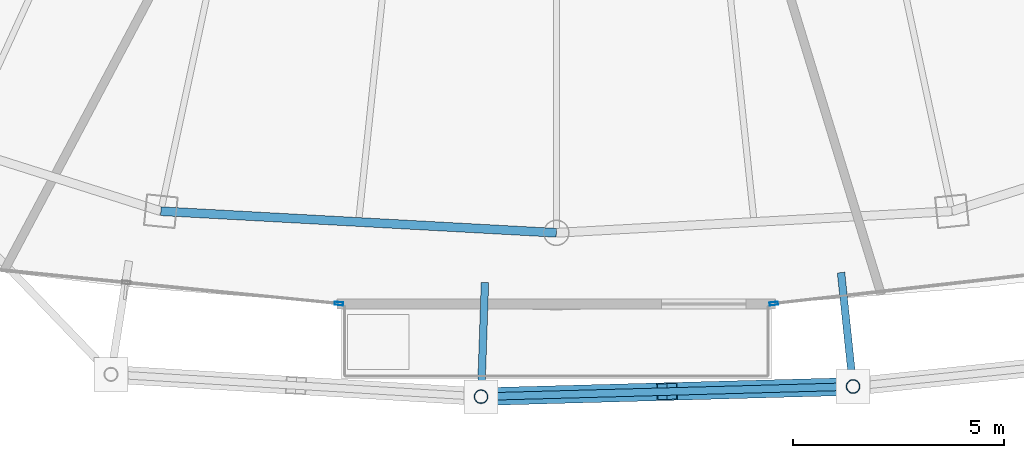
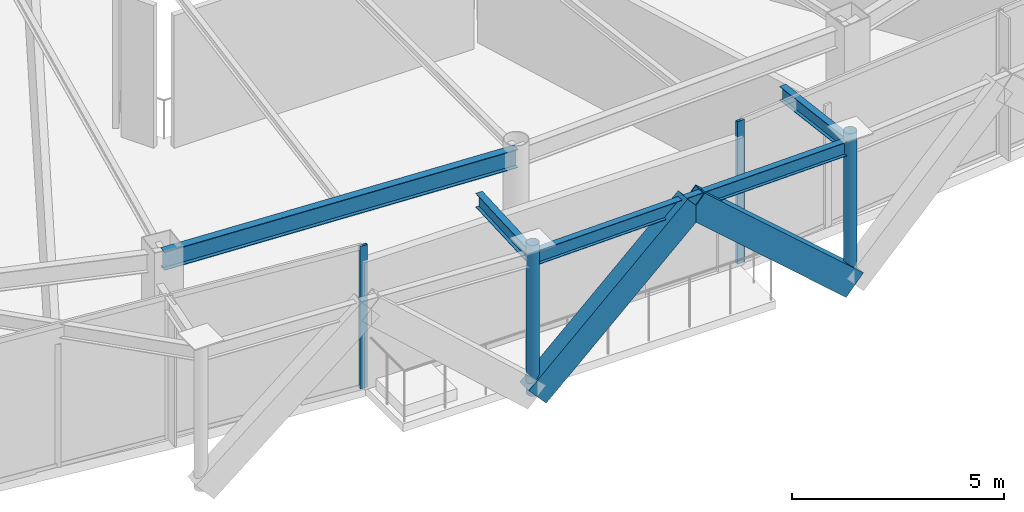
# One storey, part 6 of 25: 6 members, 4 beams, 2 elements without a shape of their own.
"""IFC4 building model written with IfcOpenShell, lengths in metres."""

from ifc_helpers import new_model, si_unit, direction, frame, origin, origin_2d, place, context, subcontext, project, spatial, hollow_rectangle, hollow_circle, i_section, extrude, material, layer, layer_set, material_profile, profile_set, type_object, element, aggregate, save


model = new_model("IFC4")

# Units and contexts
model_context = context("Model", 3, precision=1e-05, world=origin(), true_north=direction((0.0, 1.0)))
body_context = subcontext(model_context, "Body", "Model", "MODEL_VIEW")
ifc_project = project(units=[si_unit("LENGTHUNIT", "METRE"), si_unit("AREAUNIT", "SQUARE_METRE"), si_unit("VOLUMEUNIT", "CUBIC_METRE"), si_unit("PLANEANGLEUNIT", "RADIAN"), si_unit("MASSUNIT", "GRAM", prefix="KILO")], contexts=[model_context])

# Site, building, storey
site_placement = place(None, origin())
site = spatial("IfcSite", under=ifc_project, at=site_placement, CompositionType="ELEMENT")
building_placement = place(site_placement, origin())
building = spatial("IfcBuilding", under=site, at=building_placement, Name="Orvanel Arch Residences", CompositionType="ELEMENT")
storey_placement = place(building_placement, frame((0.0, 0.0, 236.0)))
storey = spatial("IfcBuildingStorey", under=building, at=storey_placement, Name="L67", CompositionType="ELEMENT", Elevation=236.0)

# Members
ifc_material_1 = material(Name="Structural steel AS/NZS 3678 Grade 350", Category="steel")
ifc_material_profile_1 = material_profile(ifc_material_1, hollow_rectangle(XDim=0.419921875, YDim=0.719970703125, WallThickness=0.02490234375, at=origin_2d()), Name="RHS720x420x25")
ifc_profile_set_1 = profile_set([ifc_material_profile_1], Name="Structural steel AS/NZS 3678 Grade 350")
member_type_1 = type_object("IfcMemberType", Name="BR-720RHS-EXT", PredefinedType="BRACE", material=ifc_profile_set_1)
member_1_placement = place(storey_placement, frame((31.219970703125, 2.969970703125, 0.0), z_axis=(0.747372313263, 0.020582824396, 0.664086570191), x_axis=(-0.027529817182, 0.999620982756, 0.0)))
element("IfcMember", 1, at=member_1_placement, inside=storey, type_object=member_type_1, Name="L67 Exterior Sky-Garden V-Frame Chevron F2B2.1", PredefinedType="BRACE", context=body_context, shape_type="SweptSolid", body=[
    extrude(hollow_rectangle(XDim=0.419921875, YDim=0.719970703125, WallThickness=0.02490234375, at=origin_2d()), origin(), (0.0, 0.0, 1.0), 5.88330078125),
])
member_2_placement = place(storey_placement, frame((40.014892578125, 3.2109375, 0.0), z_axis=(-0.747448748845, -0.020372895286, 0.664007012755), x_axis=(0.027246459112, -0.999628746318, 0.0)))
element("IfcMember", 2, at=member_2_placement, inside=storey, type_object=member_type_1, Name="L67 Exterior Sky-Garden V-Frame Chevron F2B2.2", PredefinedType="BRACE", context=body_context, shape_type="SweptSolid", body=[
    extrude(hollow_rectangle(XDim=0.419921875, YDim=0.719970703125, WallThickness=0.02490234375, at=origin_2d()), origin(), (0.0, 0.0, 1.0), 5.884033203125),
])

# Curtain wall, member
ifc_material_2 = material(Name="Bronze-anodised aluminium AA6063-T6", Category="aluminium")
ifc_layer = layer(ifc_material_2, 0.195068359375)
ifc_layer_set = layer_set([ifc_layer], Name="Bronze-anodised aluminium AA6063-T6")
curtain_wall_type = type_object("IfcCurtainWallType", Name="CW6-COM-SYS", PredefinedType="NOTDEFINED", material=ifc_layer_set)
curtain_wall_1_placement = place(storey_placement, origin())
curtain_wall_1 = element("IfcCurtainWall", 3, at=curtain_wall_1_placement, inside=storey, type_object=curtain_wall_type, Name="L67 CW6-COM-SYS Unitised Curtain Wall", PredefinedType="NOTDEFINED")
ifc_material_profile_2 = material_profile(ifc_material_2, hollow_rectangle(XDim=0.074951171875, YDim=0.199951171875, WallThickness=0.0048828125, at=origin_2d()), Name="ALU200x75x5")
ifc_profile_set_2 = profile_set([ifc_material_profile_2], Name="Bronze-anodised aluminium AA6063-T6")
member_type_2 = type_object("IfcMemberType", Name="MUL-200x75", PredefinedType="MULLION", material=ifc_profile_set_2)
member_3_placement = place(storey_placement, frame((27.859619140625, 5.169677734375, 0.0), z_axis=(0.0, 0.0, 1.0), x_axis=(0.099153447023, 0.995072155144, 0.0)))
member_3 = element("IfcMember", 4, at=member_3_placement, type_object=member_type_2, Name="CW-S6 mullion 3", PredefinedType="MULLION", context=body_context, shape_type="SweptSolid", body=[
    extrude(hollow_rectangle(XDim=0.074951171875, YDim=0.199951171875, WallThickness=0.0048828125, at=origin_2d()), origin(), (0.0, 0.0, 1.0), 4.110107421875),
])
aggregate(curtain_wall_1, [member_3])

curtain_wall_2_placement = place(storey_placement, origin())
curtain_wall_2 = element("IfcCurtainWall", 5, at=curtain_wall_2_placement, inside=storey, type_object=curtain_wall_type, Name="L67 CW6-COM-SYS Unitised Curtain Wall", PredefinedType="NOTDEFINED")
member_4_placement = place(storey_placement, frame((38.140380859375, 5.170166015625, 0.0), z_axis=(0.0, 0.0, 1.0), x_axis=(-0.112754314463, 0.993622898574, 0.0)))
member_4 = element("IfcMember", 6, at=member_4_placement, type_object=member_type_2, Name="CW-S6 mullion 1", PredefinedType="MULLION", context=body_context, shape_type="SweptSolid", body=[
    extrude(hollow_rectangle(XDim=0.074951171875, YDim=0.199951171875, WallThickness=0.0048828125, at=origin_2d()), origin(), (0.0, 0.0, 1.0), 4.110107421875),
])
aggregate(curtain_wall_2, [member_4])

# Beams
ifc_material_3 = material(Name="Structural steel AS/NZS 3679.1 Grade 300 (300 MPa)", Category="steel")
ifc_material_profile_3 = material_profile(ifc_material_3, i_section(OverallWidth=0.177978515625, OverallDepth=0.406005859375, WebThickness=0.0078125, FlangeThickness=0.0126953125, at=origin_2d()), Name="410UB59.7")
ifc_profile_set_3 = profile_set([ifc_material_profile_3], Name="Structural steel AS/NZS 3679.1 Grade 300 (300 MPa)")
beam_type_1 = type_object("IfcBeamType", Name="OB-410UB-EXT", PredefinedType="SPANDREL", material=ifc_profile_set_3)
beam_1_placement = place(storey_placement, frame((31.31201171875, 5.672119140625, 3.906982421875), z_axis=(-0.034042418379, -0.999420388901, 0.0), x_axis=(0.999420388901, -0.034042418379, 0.0)))
element("IfcBeam", 7, at=beam_1_placement, inside=storey, type_object=beam_type_1, Name="L67 Outer Frame Radial Tie Beam 06", PredefinedType="SPANDREL", context=body_context, shape_type="SweptSolid", body=[
    extrude(i_section(OverallWidth=0.177978515625, OverallDepth=0.406005859375, WebThickness=0.0078125, FlangeThickness=0.0126953125, at=origin_2d()), origin(), (0.0, 0.0, 1.0), 2.70361328125),
])
beam_2_placement = place(storey_placement, frame((31.219970703125, 2.969970703125, 3.906982421875), z_axis=(0.999624874993, 0.027388123241, 0.0), x_axis=(-0.027388123241, 0.999624874993, 0.0)))
element("IfcBeam", 8, at=beam_2_placement, inside=storey, type_object=beam_type_1, Name="L67 Outer Perimeter Floor Ring Beam 06", PredefinedType="SPANDREL", context=body_context, shape_type="SweptSolid", body=[
    extrude(i_section(OverallWidth=0.177978515625, OverallDepth=0.406005859375, WebThickness=0.0078125, FlangeThickness=0.0126953125, at=origin_2d()), origin(), (0.0, 0.0, 1.0), 8.79833984375),
])
beam_3_placement = place(storey_placement, frame((39.72998046875, 5.904052734375, 3.906982421875), z_axis=(0.105205667325, -0.994450485224, 0.0), x_axis=(0.994450485224, 0.105205667325, 0.0)))
element("IfcBeam", 9, at=beam_3_placement, inside=storey, type_object=beam_type_1, Name="L67 Outer Frame Radial Tie Beam 07", PredefinedType="SPANDREL", context=body_context, shape_type="SweptSolid", body=[
    extrude(i_section(OverallWidth=0.177978515625, OverallDepth=0.406005859375, WebThickness=0.0078125, FlangeThickness=0.0126953125, at=origin_2d()), origin(), (0.0, 0.0, 1.0), 2.708251953125),
])
ifc_material_profile_4 = material_profile(ifc_material_3, i_section(OverallWidth=0.208984375, OverallDepth=0.532958984375, WebThickness=0.01025390625, FlangeThickness=0.015625, at=origin_2d()), Name="530UB92.4")
ifc_profile_set_4 = profile_set([ifc_material_profile_4], Name="Structural steel AS/NZS 3679.1 Grade 300 (300 MPa)")
beam_type_2 = type_object("IfcBeamType", Name="SP-530UB", PredefinedType="SPANDREL", material=ifc_profile_set_4)
beam_4_placement = place(storey_placement, frame((23.64892578125, 7.35498046875, 3.843994140625), z_axis=(0.998510315598, -0.054563262768, 0.0), x_axis=(0.054563262768, 0.998510315598, 0.0)))
element("IfcBeam", 10, at=beam_4_placement, inside=storey, type_object=beam_type_2, Name="L67 Perimeter Spandrel Beam 03", PredefinedType="SPANDREL", context=body_context, shape_type="SweptSolid", body=[
    extrude(i_section(OverallWidth=0.208984375, OverallDepth=0.532958984375, WebThickness=0.01025390625, FlangeThickness=0.015625, at=origin_2d()), origin(), (0.0, 0.0, 1.0), 9.364990234375),
])

# Members
ifc_material_4 = material(Name="Structural steel AS/NZS 1163 C350L0 (Grade 350)", Category="steel")
ifc_material_profile_5 = material_profile(ifc_material_4, hollow_circle(Radius=0.162109375, WallThickness=0.0126953125, at=origin_2d()), Name="CHS324x12.7")
ifc_profile_set_5 = profile_set([ifc_material_profile_5], Name="Structural steel AS/NZS 1163 C350L0 (Grade 350)")
member_type_3 = type_object("IfcMemberType", Name="ST-324CHS-EXT", PredefinedType="STRUT", material=ifc_profile_set_5)
for number, where, z_axis, x_axis, name in (
    (11, (31.219970703125, 2.969970703125, 0.0), (0.0, 0.0, 1.0), (1.0, 0.0, 0.0), "L67 Outer Perimeter Frame Post 06"),
    (12, (40.014892578125, 3.2109375, 0.0), (0.0, 0.0, 1.0), (1.0, 0.0, 0.0), "L67 Outer Perimeter Frame Post 07"),
):
    element("IfcMember", number, at=place(storey_placement, frame(where, z_axis=z_axis, x_axis=x_axis)), inside=storey, type_object=member_type_3, Name=name, PredefinedType="STRUT", context=body_context, shape_type="SweptSolid", body=[
        extrude(hollow_circle(Radius=0.162109375, WallThickness=0.0126953125, at=origin_2d()), origin(), (0.0, 0.0, 1.0), 4.35009765625),
    ])

save(model, "model.ifc")
